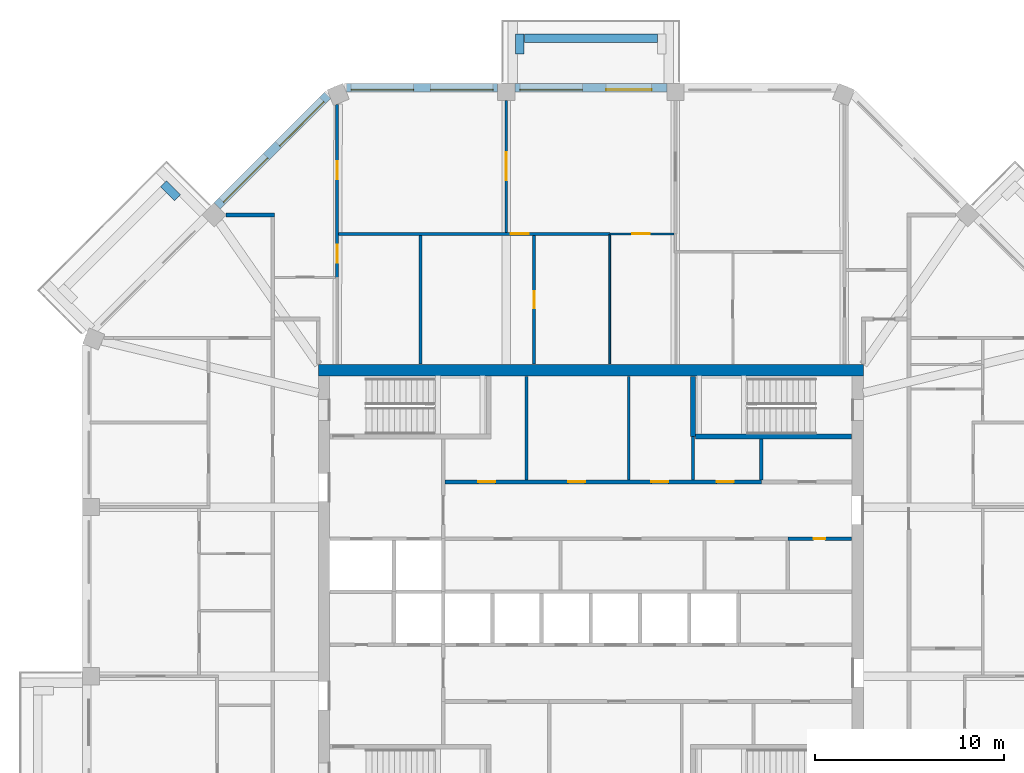
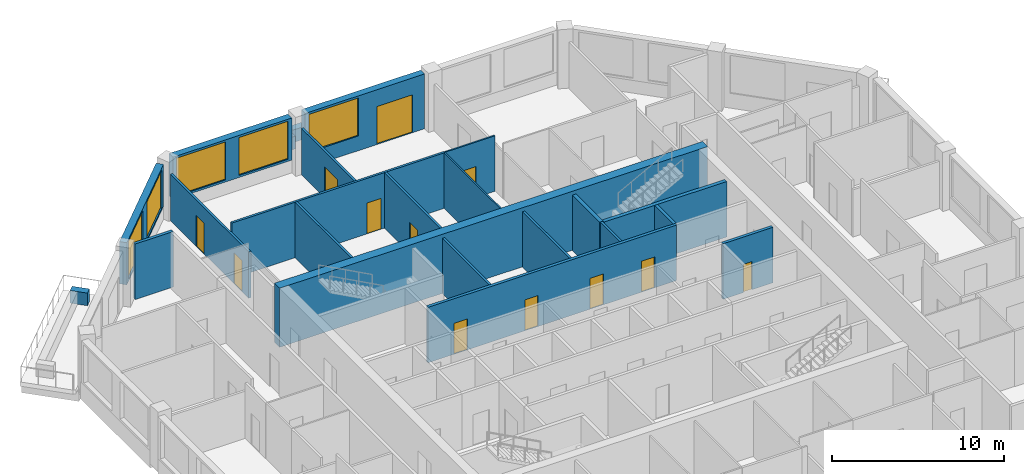
# One storey, part 8 of 11: 23 walls, 12 doors, 5 windows, 17 openings.
"""IFC4 building model written with IfcOpenShell, lengths in metres."""

from ifc_helpers import new_model, si_unit, direction, frame, frame_2d, origin, place, context, subcontext, project, spatial, rectangle, extrude, material, layer, layer_set, type_object, element, fill, save


model = new_model("IFC4")

# Units and contexts
model_context = context("Model", 3, precision=1e-05, world=origin(), true_north=direction((0.0, 1.0)))
body_context = subcontext(model_context, "Body", "Model", "MODEL_VIEW")
ifc_project = project(units=[si_unit("LENGTHUNIT", "METRE"), si_unit("AREAUNIT", "SQUARE_METRE"), si_unit("VOLUMEUNIT", "CUBIC_METRE"), si_unit("PLANEANGLEUNIT", "RADIAN"), si_unit("MASSUNIT", "GRAM", prefix="KILO")], contexts=[model_context])

# Site, building, storey
site_placement = place(None, origin())
site = spatial("IfcSite", under=ifc_project, at=site_placement, CompositionType="ELEMENT")
building_placement = place(site_placement, origin())
building = spatial("IfcBuilding", under=site, at=building_placement, Name="Msitu Wima Residences", CompositionType="ELEMENT")
storey_placement = place(building_placement, frame((0.0, 0.0, 293.699951171875)))
storey = spatial("IfcBuildingStorey", under=building, at=storey_placement, Name="L68", CompositionType="ELEMENT", Elevation=293.699951171875)

# Walls
ifc_material_1 = material(Name="Facing brick")
ifc_layer_1 = layer(ifc_material_1, 0.06494140625, Name="Facing brick")
ifc_material_2 = material(Name="Concrete C40/50", Category="concrete")
ifc_layer_2 = layer(ifc_material_2, 0.156005859375, Name="Concrete C40/50")
ifc_material_3 = material(Name="Waterproofing membrane")
ifc_layer_3 = layer(ifc_material_3, 0.00390625, Name="Waterproofing membrane")
ifc_material_4 = material(Name="Planting soil and planting")
ifc_layer_4 = layer(ifc_material_4, 0.22509765625, Name="Planting soil and planting")
ifc_layer_set_1 = layer_set([ifc_layer_1, ifc_layer_2, ifc_layer_3, ifc_layer_4], Name="Concrete C40/50")
wall_type_1 = type_object("IfcWallType", Name="Balcony planter PLANTER PL450", PredefinedType="USERDEFINED", material=ifc_layer_set_1)
wall_1_placement = place(storey_placement, frame((3.5185546875, 29.22509765625, 0.0), z_axis=(0.0, 0.0, 1.0), x_axis=(-1.0, 0.0, 0.0)))
element("IfcWall", 1, at=wall_1_placement, inside=storey, type_object=wall_type_1, Name="Balcony planter N1 L68", ObjectType="PLANTER", PredefinedType="USERDEFINED", context=body_context, shape_type="SweptSolid", body=[
    extrude(rectangle(XDim=7.037109375, YDim=0.449951171875, at=frame_2d((3.5185546875, 0.0))), origin(), (0.0, 0.0, 1.0), 0.900146484375),
])
for number, where, z_axis, x_axis, name in (
    (2, (-3.74365234375, 28.39990234375, 0.0), (0.0, 0.0, 1.0), (0.0, 1.0, 0.0), "Balcony planter N1 L68"),
    (3, (-21.829833984375, 20.804443359375, 0.0), (0.0, 0.0, 1.0), (-0.707106781187, 0.707106781187, 0.0), "Balcony planter NW1 L68"),
):
    element("IfcWall", number, at=place(storey_placement, frame(where, z_axis=z_axis, x_axis=x_axis)), inside=storey, type_object=wall_type_1, Name=name, ObjectType="PLANTER", PredefinedType="USERDEFINED", context=body_context, shape_type="SweptSolid", body=[
        extrude(rectangle(XDim=1.050048828125, YDim=0.449951171875, at=frame_2d((0.52490234375, 0.0))), origin(), (0.0, 0.0, 1.0), 0.900146484375),
    ])

# Wall, openings, door, window
ifc_material_5 = material(Name="Brick (red buff mix)", Category="masonry")
ifc_layer_5 = layer(ifc_material_5, 0.449951171875)
ifc_layer_set_2 = layer_set([ifc_layer_5], Name="Brick (red buff mix)")
wall_type_2 = type_object("IfcWallType", Name="Brick infill wall BW450", PredefinedType="SOLIDWALL", material=ifc_layer_set_2)
wall_2_placement = place(storey_placement, frame((4.0185546875, 26.625, 0.0), z_axis=(0.0, 0.0, 1.0), x_axis=(-1.0, 0.0, 0.0)))
wall_2 = element("IfcWall", 4, at=wall_2_placement, inside=storey, type_object=wall_type_2, Name="Brick infill wall L68 N1", PredefinedType="SOLIDWALL", context=body_context, shape_type="SweptSolid", body=[
    extrude(rectangle(XDim=8.037109375, YDim=0.449951171875, at=frame_2d((4.0185546875, 0.0))), origin(), (0.0, 0.0, 1.0), 3.900146484375),
])
opening_1_placement = place(wall_2_placement, frame((0.809326171875, 0.0, 0.0)))
opening_1 = element("IfcOpeningElement", 5, at=opening_1_placement, cuts=wall_2, Name="Opening D68-70.002", PredefinedType="OPENING", context=body_context, shape_type="SweptSolid", body=[
    extrude(rectangle(XDim=2.39990234375, YDim=2.699951171875, at=frame_2d((1.199951171875, 1.35009765625))), frame((0.0, 0.23486328125, 0.0), z_axis=(0.0, -1.0, 0.0), x_axis=(1.0, 0.0, 0.0)), (0.0, 0.0, 1.0), 0.469970703125),
])
opening_2_placement = place(wall_2_placement, frame((4.46875, 0.0, 1.050048828125)))
opening_2 = element("IfcOpeningElement", 6, at=opening_2_placement, cuts=wall_2, Name="Opening W68-70.008", PredefinedType="OPENING", context=body_context, shape_type="SweptSolid", body=[
    extrude(rectangle(XDim=3.300048828125, YDim=2.699951171875, at=frame_2d((1.64990234375, 1.35009765625))), frame((0.0, 0.23486328125, 0.0), z_axis=(0.0, -1.0, 0.0), x_axis=(1.0, 0.0, 0.0)), (0.0, 0.0, 1.0), 0.469970703125),
])
ifc_material_6 = material(Name="Anodised aluminium, bronze finish, clear low-emissivity double glazing", Category="aluminium")
door_type_1 = type_object("IfcDoorType", Name="Balcony door D2400x2700", OperationType="SLIDING_TO_LEFT", PredefinedType="DOOR", material=ifc_material_6)
door_1_placement = place(opening_1_placement, origin())
door_1 = element("IfcDoor", 7, at=door_1_placement, inside=storey, type_object=door_type_1, Name="Balcony door L68 N1", OperationType="SINGLE_SWING_LEFT", OverallHeight=2.699951171875, OverallWidth=2.39990234375, PredefinedType="DOOR", context=body_context, shape_type="SweptSolid", body=[
    extrude(rectangle(XDim=2.39990234375, YDim=2.699951171875, at=frame_2d((1.199951171875, 1.35009765625))), frame((0.0, 0.1298828125, 0.0), z_axis=(0.0, -1.0, 0.0), x_axis=(1.0, 0.0, 0.0)), (0.0, 0.0, 1.0), 0.050048828125),
])
fill(opening_1, door_1)
window_type = type_object("IfcWindowType", Name="Window W3300x2700", PartitioningType="DOUBLE_PANEL_VERTICAL", PredefinedType="WINDOW", material=ifc_material_6)
window_1_placement = place(opening_2_placement, origin())
window_1 = element("IfcWindow", 8, at=window_1_placement, inside=storey, type_object=window_type, Name="Window L68 N1.2", OverallHeight=2.699951171875, OverallWidth=3.300048828125, PartitioningType="SINGLE_PANEL", PredefinedType="WINDOW", context=body_context, shape_type="SweptSolid", body=[
    extrude(rectangle(XDim=3.300048828125, YDim=2.699951171875, at=frame_2d((1.64990234375, 1.35009765625))), frame((0.0, 0.135009765625, 0.0), z_axis=(0.0, -1.0, 0.0), x_axis=(1.0, 0.0, 0.0)), (0.0, 0.0, 1.0), 0.06005859375),
])
fill(opening_2, window_1)

# Wall, openings, windows
wall_3_placement = place(storey_placement, frame((-4.918701171875, 26.625, 0.900146484375), z_axis=(0.0, 0.0, 1.0), x_axis=(-1.0, 0.0, 0.0)))
wall_3 = element("IfcWall", 9, at=wall_3_placement, inside=storey, type_object=wall_type_2, Name="Brick infill wall L68 N2", PredefinedType="SOLIDWALL", context=body_context, shape_type="SweptSolid", body=[
    extrude(rectangle(XDim=8.0, YDim=0.449951171875, at=frame_2d((4.0, 0.0))), origin(), (0.0, 0.0, 1.0), 3.0),
])
opening_3_placement = place(wall_3_placement, frame((0.25, 0.0, 0.14990234375)))
opening_3 = element("IfcOpeningElement", 10, at=opening_3_placement, cuts=wall_3, Name="Opening W68-70.009", PredefinedType="OPENING", context=body_context, shape_type="SweptSolid", body=[
    extrude(rectangle(XDim=3.300048828125, YDim=2.699951171875, at=frame_2d((1.64990234375, 1.35009765625))), frame((0.0, 0.23486328125, 0.0), z_axis=(0.0, -1.0, 0.0), x_axis=(1.0, 0.0, 0.0)), (0.0, 0.0, 1.0), 0.469970703125),
])
opening_4_placement = place(wall_3_placement, frame((4.4501953125, 0.0, 0.14990234375)))
opening_4 = element("IfcOpeningElement", 11, at=opening_4_placement, cuts=wall_3, Name="Opening W68-70.010", PredefinedType="OPENING", context=body_context, shape_type="SweptSolid", body=[
    extrude(rectangle(XDim=3.300048828125, YDim=2.699951171875, at=frame_2d((1.64990234375, 1.35009765625))), frame((0.0, 0.23486328125, 0.0), z_axis=(0.0, -1.0, 0.0), x_axis=(1.0, 0.0, 0.0)), (0.0, 0.0, 1.0), 0.469970703125),
])
window_2_placement = place(opening_3_placement, origin())
window_2 = element("IfcWindow", 12, at=window_2_placement, inside=storey, type_object=window_type, Name="Window L68 N2.1", OverallHeight=2.699951171875, OverallWidth=3.300048828125, PartitioningType="SINGLE_PANEL", PredefinedType="WINDOW", context=body_context, shape_type="SweptSolid", body=[
    extrude(rectangle(XDim=3.300048828125, YDim=2.699951171875, at=frame_2d((1.64990234375, 1.35009765625))), frame((0.0, 0.135009765625, 0.0), z_axis=(0.0, -1.0, 0.0), x_axis=(1.0, 0.0, 0.0)), (0.0, 0.0, 1.0), 0.06005859375),
])
fill(opening_3, window_2)
window_3_placement = place(opening_4_placement, origin())
window_3 = element("IfcWindow", 13, at=window_3_placement, inside=storey, type_object=window_type, Name="Window L68 N2.2", OverallHeight=2.699951171875, OverallWidth=3.300048828125, PartitioningType="SINGLE_PANEL", PredefinedType="WINDOW", context=body_context, shape_type="SweptSolid", body=[
    extrude(rectangle(XDim=3.300048828125, YDim=2.699951171875, at=frame_2d((1.64990234375, 1.35009765625))), frame((0.0, 0.135009765625, 0.0), z_axis=(0.0, -1.0, 0.0), x_axis=(1.0, 0.0, 0.0)), (0.0, 0.0, 1.0), 0.06005859375),
])
fill(opening_4, window_3)

wall_4_placement = place(storey_placement, frame((-13.909423828125, 26.214599609375, 0.900146484375), z_axis=(0.0, 0.0, 1.0), x_axis=(-0.707106781187, -0.707106781187, 0.0)))
wall_4 = element("IfcWall", 14, at=wall_4_placement, inside=storey, type_object=wall_type_2, Name="Brick infill wall L68 NW0", PredefinedType="SOLIDWALL", context=body_context, shape_type="SweptSolid", body=[
    extrude(rectangle(XDim=8.251220703125, YDim=0.449951171875, at=frame_2d((4.12548828125, 0.0))), origin(), (0.0, 0.0, 1.0), 3.0),
])
opening_5_placement = place(wall_4_placement, frame((0.37548828125, 0.0, 0.14990234375)))
opening_5 = element("IfcOpeningElement", 15, at=opening_5_placement, cuts=wall_4, Name="Opening W68-70.014", PredefinedType="OPENING", context=body_context, shape_type="SweptSolid", body=[
    extrude(rectangle(XDim=3.300048828125, YDim=2.699951171875, at=frame_2d((1.64990234375, 1.35009765625))), frame((0.0, 0.23486328125, 0.0), z_axis=(0.0, -1.0, 0.0), x_axis=(1.0, 0.0, 0.0)), (0.0, 0.0, 1.0), 0.469970703125),
])
opening_6_placement = place(wall_4_placement, frame((4.57568359375, 0.0, 0.14990234375)))
opening_6 = element("IfcOpeningElement", 16, at=opening_6_placement, cuts=wall_4, Name="Opening W68-70.015", PredefinedType="OPENING", context=body_context, shape_type="SweptSolid", body=[
    extrude(rectangle(XDim=3.300048828125, YDim=2.699951171875, at=frame_2d((1.64990234375, 1.35009765625))), frame((0.0, 0.23486328125, 0.0), z_axis=(0.0, -1.0, 0.0), x_axis=(1.0, 0.0, 0.0)), (0.0, 0.0, 1.0), 0.469970703125),
])
window_4_placement = place(opening_5_placement, origin())
window_4 = element("IfcWindow", 17, at=window_4_placement, inside=storey, type_object=window_type, Name="Window L68 NW0.1", OverallHeight=2.699951171875, OverallWidth=3.300048828125, PartitioningType="SINGLE_PANEL", PredefinedType="WINDOW", context=body_context, shape_type="SweptSolid", body=[
    extrude(rectangle(XDim=3.300048828125, YDim=2.699951171875, at=frame_2d((1.64990234375, 1.35009765625))), frame((0.0, 0.135009765625, 0.0), z_axis=(0.0, -1.0, 0.0), x_axis=(1.0, 0.0, 0.0)), (0.0, 0.0, 1.0), 0.06005859375),
])
fill(opening_5, window_4)
window_5_placement = place(opening_6_placement, origin())
window_5 = element("IfcWindow", 18, at=window_5_placement, inside=storey, type_object=window_type, Name="Window L68 NW0.2", OverallHeight=2.699951171875, OverallWidth=3.300048828125, PartitioningType="SINGLE_PANEL", PredefinedType="WINDOW", context=body_context, shape_type="SweptSolid", body=[
    extrude(rectangle(XDim=3.300048828125, YDim=2.699951171875, at=frame_2d((1.64990234375, 1.35009765625))), frame((0.0, 0.135009765625, 0.0), z_axis=(0.0, -1.0, 0.0), x_axis=(1.0, 0.0, 0.0)), (0.0, 0.0, 1.0), 0.06005859375),
])
fill(opening_6, window_5)

# Wall
ifc_material_7 = material(Name="Concrete C50/60", Category="concrete")
ifc_layer_6 = layer(ifc_material_7, 0.60009765625)
ifc_layer_set_3 = layer_set([ifc_layer_6], Name="Concrete C50/60")
wall_type_3 = type_object("IfcWallType", Name="Core wall CW600 C50/60", PredefinedType="SHEAR", material=ifc_layer_set_3)
wall_5_placement = place(storey_placement, frame((-14.39990234375, 11.699951171875, 0.0), z_axis=(0.0, 0.0, 1.0), x_axis=(1.0, 0.0, 0.0)))
element("IfcWall", 19, at=wall_5_placement, inside=storey, type_object=wall_type_3, Name="Core wall", PredefinedType="SHEAR", context=body_context, shape_type="SweptSolid", body=[
    extrude(rectangle(XDim=28.7998046875, YDim=0.60009765625, at=frame_2d((14.39990234375, 0.0))), origin(), (0.0, 0.0, 1.0), 4.199951171875),
])

# Wall, openings, doors
ifc_material_8 = material(Name="Plaster")
ifc_layer_7 = layer(ifc_material_8, 0.011962890625, Name="Plaster")
ifc_material_9 = material(Name="Concrete blockwork", Category="masonry")
ifc_layer_8 = layer(ifc_material_9, 0.176025390625, Name="Concrete blockwork")
ifc_layer_9 = layer(ifc_material_8, 0.011962890625, Name="Plaster")
ifc_layer_set_4 = layer_set([ifc_layer_7, ifc_layer_8, ifc_layer_9], Name="Concrete blockwork")
wall_type_4 = type_object("IfcWallType", Name="Corridor wall FW200", PredefinedType="PARTITIONING", material=ifc_layer_set_4)
wall_6_placement = place(storey_placement, frame((-7.699951171875, 5.800048828125, 0.0), z_axis=(0.0, 0.0, 1.0), x_axis=(1.0, 0.0, 0.0)))
wall_6 = element("IfcWall", 20, at=wall_6_placement, inside=storey, type_object=wall_type_4, Name="Corridor wall", PredefinedType="PARTITIONING", context=body_context, shape_type="SweptSolid", body=[
    extrude(rectangle(XDim=16.719970703125, YDim=0.199951171875, at=frame_2d((8.35986328125, 0.0))), origin(), (0.0, 0.0, 1.0), 3.949951171875),
])
opening_7_placement = place(wall_6_placement, frame((1.75, 0.0, 0.0)))
opening_7 = element("IfcOpeningElement", 21, at=opening_7_placement, cuts=wall_6, Name="Opening D68-70.062", PredefinedType="OPENING", context=body_context, shape_type="SweptSolid", body=[
    extrude(rectangle(XDim=0.89990234375, YDim=2.199951171875, at=frame_2d((0.449951171875, 1.10009765625))), frame((0.0, 0.10986328125, 0.0), z_axis=(0.0, -1.0, 0.0), x_axis=(1.0, 0.0, 0.0)), (0.0, 0.0, 1.0), 0.219970703125),
])
opening_8_placement = place(wall_6_placement, frame((6.5, 0.0, 0.0)))
opening_8 = element("IfcOpeningElement", 22, at=opening_8_placement, cuts=wall_6, Name="Opening D68-70.063", PredefinedType="OPENING", context=body_context, shape_type="SweptSolid", body=[
    extrude(rectangle(XDim=0.89990234375, YDim=2.199951171875, at=frame_2d((0.449951171875, 1.10009765625))), frame((0.0, 0.10986328125, 0.0), z_axis=(0.0, -1.0, 0.0), x_axis=(1.0, 0.0, 0.0)), (0.0, 0.0, 1.0), 0.219970703125),
])
opening_9_placement = place(wall_6_placement, frame((10.89990234375, 0.0, 0.0)))
opening_9 = element("IfcOpeningElement", 23, at=opening_9_placement, cuts=wall_6, Name="Opening D68-70.064", PredefinedType="OPENING", context=body_context, shape_type="SweptSolid", body=[
    extrude(rectangle(XDim=0.89990234375, YDim=2.199951171875, at=frame_2d((0.449951171875, 1.10009765625))), frame((0.0, 0.10986328125, 0.0), z_axis=(0.0, -1.0, 0.0), x_axis=(1.0, 0.0, 0.0)), (0.0, 0.0, 1.0), 0.219970703125),
])
opening_10_placement = place(wall_6_placement, frame((14.35009765625, 0.0, 0.0)))
opening_10 = element("IfcOpeningElement", 24, at=opening_10_placement, cuts=wall_6, Name="Opening D68-70.065", PredefinedType="OPENING", context=body_context, shape_type="SweptSolid", body=[
    extrude(rectangle(XDim=0.89990234375, YDim=2.199951171875, at=frame_2d((0.449951171875, 1.10009765625))), frame((0.0, 0.10986328125, 0.0), z_axis=(0.0, -1.0, 0.0), x_axis=(1.0, 0.0, 0.0)), (0.0, 0.0, 1.0), 0.219970703125),
])
ifc_material_10 = material(Name="Timber flush door", Category="wood")
door_type_2 = type_object("IfcDoorType", Name="Service door D05 900x2200", OperationType="SINGLE_SWING_LEFT", PredefinedType="DOOR", material=ifc_material_10)
door_2_placement = place(opening_7_placement, origin())
door_2 = element("IfcDoor", 25, at=door_2_placement, inside=storey, type_object=door_type_2, Name="Service door", OperationType="SINGLE_SWING_RIGHT", OverallHeight=2.199951171875, OverallWidth=0.89990234375, PredefinedType="DOOR", context=body_context, shape_type="SweptSolid", body=[
    extrude(rectangle(XDim=0.89990234375, YDim=2.199951171875, at=frame_2d((0.449951171875, 1.10009765625))), frame((0.0, 0.02490234375, 0.0), z_axis=(0.0, -1.0, 0.0), x_axis=(1.0, 0.0, 0.0)), (0.0, 0.0, 1.0), 0.050048828125),
])
fill(opening_7, door_2)
door_3_placement = place(opening_8_placement, origin())
door_3 = element("IfcDoor", 26, at=door_3_placement, inside=storey, type_object=door_type_2, Name="Service door", OperationType="SINGLE_SWING_LEFT", OverallHeight=2.199951171875, OverallWidth=0.89990234375, PredefinedType="DOOR", context=body_context, shape_type="SweptSolid", body=[
    extrude(rectangle(XDim=0.89990234375, YDim=2.199951171875, at=frame_2d((0.449951171875, 1.10009765625))), frame((0.0, 0.02490234375, 0.0), z_axis=(0.0, -1.0, 0.0), x_axis=(1.0, 0.0, 0.0)), (0.0, 0.0, 1.0), 0.050048828125),
])
fill(opening_8, door_3)
door_4_placement = place(opening_9_placement, origin())
door_4 = element("IfcDoor", 27, at=door_4_placement, inside=storey, type_object=door_type_2, Name="Service door", OperationType="SINGLE_SWING_LEFT", OverallHeight=2.199951171875, OverallWidth=0.89990234375, PredefinedType="DOOR", context=body_context, shape_type="SweptSolid", body=[
    extrude(rectangle(XDim=0.89990234375, YDim=2.199951171875, at=frame_2d((0.449951171875, 1.10009765625))), frame((0.0, 0.02490234375, 0.0), z_axis=(0.0, -1.0, 0.0), x_axis=(1.0, 0.0, 0.0)), (0.0, 0.0, 1.0), 0.050048828125),
])
fill(opening_9, door_4)
door_5_placement = place(opening_10_placement, origin())
door_5 = element("IfcDoor", 28, at=door_5_placement, inside=storey, type_object=door_type_2, Name="Service door", OperationType="SINGLE_SWING_LEFT", OverallHeight=2.199951171875, OverallWidth=0.89990234375, PredefinedType="DOOR", context=body_context, shape_type="SweptSolid", body=[
    extrude(rectangle(XDim=0.89990234375, YDim=2.199951171875, at=frame_2d((0.449951171875, 1.10009765625))), frame((0.0, 0.02490234375, 0.0), z_axis=(0.0, -1.0, 0.0), x_axis=(1.0, 0.0, 0.0)), (0.0, 0.0, 1.0), 0.050048828125),
])
fill(opening_10, door_5)

# Wall, opening, door
ifc_layer_10 = layer(ifc_material_8, 0.011962890625, Name="Plaster")
ifc_layer_11 = layer(ifc_material_9, 0.1259765625, Name="Concrete blockwork")
ifc_layer_12 = layer(ifc_material_8, 0.011962890625, Name="Plaster")
ifc_layer_set_5 = layer_set([ifc_layer_10, ifc_layer_11, ifc_layer_12], Name="Concrete blockwork")
wall_type_5 = type_object("IfcWallType", Name="Partition PW150", PredefinedType="PARTITIONING", material=ifc_layer_set_5)
wall_7_placement = place(storey_placement, frame((-13.330810546875, 18.89990234375, 0.0), z_axis=(0.0, 0.0, 1.0), x_axis=(1.0, 0.0, 0.0)))
wall_7 = element("IfcWall", 29, at=wall_7_placement, inside=storey, type_object=wall_type_5, Name="Partition", PredefinedType="PARTITIONING", context=body_context, shape_type="SweptSolid", body=[
    extrude(rectangle(XDim=14.330810546875, YDim=0.14990234375, at=frame_2d((7.16552734375, 0.0))), origin(), (0.0, 0.0, 1.0), 3.949951171875),
])
opening_11_placement = place(wall_7_placement, frame((9.10009765625, 0.0, 0.0)))
opening_11 = element("IfcOpeningElement", 30, at=opening_11_placement, cuts=wall_7, Name="Opening D68-70.030", PredefinedType="OPENING", context=body_context, shape_type="SweptSolid", body=[
    extrude(rectangle(XDim=0.949951171875, YDim=2.199951171875, at=frame_2d((0.47509765625, 1.10009765625))), frame((0.0, 0.0849609375, 0.0), z_axis=(0.0, -1.0, 0.0), x_axis=(1.0, 0.0, 0.0)), (0.0, 0.0, 1.0), 0.169921875),
])
door_type_3 = type_object("IfcDoorType", Name="Room door D12 950x2200", OperationType="SINGLE_SWING_LEFT", PredefinedType="DOOR", material=ifc_material_10)
door_6_placement = place(opening_11_placement, origin())
door_6 = element("IfcDoor", 31, at=door_6_placement, inside=storey, type_object=door_type_3, Name="Room door", OperationType="SINGLE_SWING_LEFT", OverallHeight=2.199951171875, OverallWidth=0.949951171875, PredefinedType="DOOR", context=body_context, shape_type="SweptSolid", body=[
    extrude(rectangle(XDim=0.949951171875, YDim=2.199951171875, at=frame_2d((0.47509765625, 1.10009765625))), frame((0.0, 0.02490234375, 0.0), z_axis=(0.0, -1.0, 0.0), x_axis=(1.0, 0.0, 0.0)), (0.0, 0.0, 1.0), 0.050048828125),
])
fill(opening_11, door_6)

# Wall, openings, doors
wall_8_placement = place(storey_placement, frame((-13.406005859375, 25.731201171875, 0.0), z_axis=(0.0, 0.0, 1.0), x_axis=(0.0, -1.0, 0.0)))
wall_8 = element("IfcWall", 32, at=wall_8_placement, inside=storey, type_object=wall_type_5, Name="Partition", PredefinedType="PARTITIONING", context=body_context, shape_type="SweptSolid", body=[
    extrude(rectangle(XDim=9.131103515625, YDim=0.14990234375, at=frame_2d((4.5654296875, 0.0))), origin(), (0.0, 0.0, 1.0), 3.300048828125),
])
opening_12_placement = place(wall_8_placement, frame((3.0, 0.0, 0.0)))
opening_12 = element("IfcOpeningElement", 33, at=opening_12_placement, cuts=wall_8, Name="Opening D68-70.023", PredefinedType="OPENING", context=body_context, shape_type="SweptSolid", body=[
    extrude(rectangle(XDim=0.949951171875, YDim=2.199951171875, at=frame_2d((0.47509765625, 1.10009765625))), frame((0.0, 0.0849609375, 0.0), z_axis=(0.0, -1.0, 0.0), x_axis=(1.0, 0.0, 0.0)), (0.0, 0.0, 1.0), 0.169921875),
])
opening_13_placement = place(wall_8_placement, frame((7.39990234375, 0.0, 0.0)))
opening_13 = element("IfcOpeningElement", 34, at=opening_13_placement, cuts=wall_8, Name="Opening D68-70.024", PredefinedType="OPENING", context=body_context, shape_type="SweptSolid", body=[
    extrude(rectangle(XDim=0.949951171875, YDim=2.199951171875, at=frame_2d((0.47509765625, 1.10009765625))), frame((0.0, 0.0849609375, 0.0), z_axis=(0.0, -1.0, 0.0), x_axis=(1.0, 0.0, 0.0)), (0.0, 0.0, 1.0), 0.169921875),
])
door_7_placement = place(opening_12_placement, origin())
door_7 = element("IfcDoor", 35, at=door_7_placement, inside=storey, type_object=door_type_3, Name="Room door", OperationType="SINGLE_SWING_RIGHT", OverallHeight=2.199951171875, OverallWidth=0.949951171875, PredefinedType="DOOR", context=body_context, shape_type="SweptSolid", body=[
    extrude(rectangle(XDim=0.949951171875, YDim=2.199951171875, at=frame_2d((0.47509765625, 1.10009765625))), frame((0.0, 0.02490234375, 0.0), z_axis=(0.0, -1.0, 0.0), x_axis=(1.0, 0.0, 0.0)), (0.0, 0.0, 1.0), 0.050048828125),
])
fill(opening_12, door_7)
door_8_placement = place(opening_13_placement, origin())
door_8 = element("IfcDoor", 36, at=door_8_placement, inside=storey, type_object=door_type_3, Name="Room door", OperationType="SINGLE_SWING_LEFT", OverallHeight=2.199951171875, OverallWidth=0.949951171875, PredefinedType="DOOR", context=body_context, shape_type="SweptSolid", body=[
    extrude(rectangle(XDim=0.949951171875, YDim=2.199951171875, at=frame_2d((0.47509765625, 1.10009765625))), frame((0.0, 0.02490234375, 0.0), z_axis=(0.0, -1.0, 0.0), x_axis=(1.0, 0.0, 0.0)), (0.0, 0.0, 1.0), 0.050048828125),
])
fill(opening_13, door_8)

# Wall
wall_9_placement = place(storey_placement, frame((-9.0, 12.030029296875, 0.0), z_axis=(0.0, 0.0, 1.0), x_axis=(0.0, 1.0, 0.0)))
element("IfcWall", 37, at=wall_9_placement, inside=storey, type_object=wall_type_5, Name="Partition", PredefinedType="PARTITIONING", context=body_context, shape_type="SweptSolid", body=[
    extrude(rectangle(XDim=6.794921875, YDim=0.14990234375, at=frame_2d((3.3974609375, 0.0))), origin(), (0.0, 0.0, 1.0), 3.949951171875),
])

# Wall, opening, door
wall_10_placement = place(storey_placement, frame((-4.46875, 18.97509765625, 0.0), z_axis=(0.0, 0.0, 1.0), x_axis=(0.0, 1.0, 0.0)))
wall_10 = element("IfcWall", 38, at=wall_10_placement, inside=storey, type_object=wall_type_5, Name="Partition", PredefinedType="PARTITIONING", context=body_context, shape_type="SweptSolid", body=[
    extrude(rectangle(XDim=6.974853515625, YDim=0.14990234375, at=frame_2d((3.4873046875, 0.0))), origin(), (0.0, 0.0, 1.0), 3.300048828125),
])
opening_14_placement = place(wall_10_placement, frame((2.75, 0.0, 0.0)))
opening_14 = element("IfcOpeningElement", 39, at=opening_14_placement, cuts=wall_10, Name="Opening D68-70.033", PredefinedType="OPENING", context=body_context, shape_type="SweptSolid", body=[
    extrude(rectangle(XDim=1.5, YDim=2.199951171875, at=frame_2d((0.75, 1.10009765625))), frame((0.0, 0.0849609375, 0.0), z_axis=(0.0, -1.0, 0.0), x_axis=(1.0, 0.0, 0.0)), (0.0, 0.0, 1.0), 0.169921875),
])
ifc_material_11 = material(Name="Timber double door", Category="wood")
door_type_4 = type_object("IfcDoorType", Name="Double door D04 1500x2200", OperationType="DOUBLE_DOOR_SINGLE_SWING", PredefinedType="DOOR", material=ifc_material_11)
door_9_placement = place(opening_14_placement, origin())
door_9 = element("IfcDoor", 40, at=door_9_placement, inside=storey, type_object=door_type_4, Name="Double door", OperationType="DOUBLE_DOOR_SINGLE_SWING", OverallHeight=2.199951171875, OverallWidth=1.5, PredefinedType="DOOR", context=body_context, shape_type="SweptSolid", body=[
    extrude(rectangle(XDim=1.5, YDim=2.199951171875, at=frame_2d((0.75, 1.10009765625))), frame((0.0, 0.02490234375, 0.0), z_axis=(0.0, -1.0, 0.0), x_axis=(1.0, 0.0, 0.0)), (0.0, 0.0, 1.0), 0.050048828125),
])
fill(opening_14, door_9)

# Wall
wall_11_placement = place(storey_placement, frame((-3.39990234375, 5.89990234375, 0.0), z_axis=(0.0, 0.0, 1.0), x_axis=(0.0, 1.0, 0.0)))
element("IfcWall", 41, at=wall_11_placement, inside=storey, type_object=wall_type_5, Name="Partition", PredefinedType="PARTITIONING", context=body_context, shape_type="SweptSolid", body=[
    extrude(rectangle(XDim=5.47021484375, YDim=0.14990234375, at=frame_2d((2.735107421875, 0.0))), origin(), (0.0, 0.0, 1.0), 3.949951171875),
])

# Wall, opening, door
wall_12_placement = place(storey_placement, frame((-3.0, 12.030029296875, 0.0), z_axis=(0.0, 0.0, 1.0), x_axis=(0.0, 1.0, 0.0)))
wall_12 = element("IfcWall", 42, at=wall_12_placement, inside=storey, type_object=wall_type_5, Name="Partition", PredefinedType="PARTITIONING", context=body_context, shape_type="SweptSolid", body=[
    extrude(rectangle(XDim=6.794921875, YDim=0.14990234375, at=frame_2d((3.3974609375, 0.0))), origin(), (0.0, 0.0, 1.0), 3.949951171875),
])
opening_15_placement = place(wall_12_placement, frame((2.949951171875, 0.0, 0.0)))
opening_15 = element("IfcOpeningElement", 43, at=opening_15_placement, cuts=wall_12, Name="Opening D68-70.031", PredefinedType="OPENING", context=body_context, shape_type="SweptSolid", body=[
    extrude(rectangle(XDim=0.89990234375, YDim=2.199951171875, at=frame_2d((0.449951171875, 1.10009765625))), frame((0.0, 0.0849609375, 0.0), z_axis=(0.0, -1.0, 0.0), x_axis=(1.0, 0.0, 0.0)), (0.0, 0.0, 1.0), 0.169921875),
])
door_10_placement = place(opening_15_placement, origin())
door_10 = element("IfcDoor", 44, at=door_10_placement, inside=storey, type_object=door_type_2, Name="Service door", OperationType="SINGLE_SWING_RIGHT", OverallHeight=2.199951171875, OverallWidth=0.89990234375, PredefinedType="DOOR", context=body_context, shape_type="SweptSolid", body=[
    extrude(rectangle(XDim=0.89990234375, YDim=2.199951171875, at=frame_2d((0.449951171875, 1.10009765625))), frame((0.0, 0.02490234375, 0.0), z_axis=(0.0, -1.0, 0.0), x_axis=(1.0, 0.0, 0.0)), (0.0, 0.0, 1.0), 0.050048828125),
])
fill(opening_15, door_10)

# Walls
wall_13_placement = place(storey_placement, frame((2.0, 5.89990234375, 0.0), z_axis=(0.0, 0.0, 1.0), x_axis=(0.0, 1.0, 0.0)))
element("IfcWall", 45, at=wall_13_placement, inside=storey, type_object=wall_type_5, Name="Partition", PredefinedType="PARTITIONING", context=body_context, shape_type="SweptSolid", body=[
    extrude(rectangle(XDim=5.47021484375, YDim=0.14990234375, at=frame_2d((2.735107421875, 0.0))), origin(), (0.0, 0.0, 1.0), 3.949951171875),
])
wall_14_placement = place(storey_placement, frame((5.39990234375, 5.89990234375, 0.0), z_axis=(0.0, 0.0, 1.0), x_axis=(0.0, 1.0, 0.0)))
element("IfcWall", 46, at=wall_14_placement, inside=storey, type_object=wall_type_5, Name="Partition", PredefinedType="PARTITIONING", context=body_context, shape_type="SweptSolid", body=[
    extrude(rectangle(XDim=2.300048828125, YDim=0.14990234375, at=frame_2d((1.14990234375, 0.0))), origin(), (0.0, 0.0, 1.0), 3.949951171875),
])
ifc_layer_13 = layer(ifc_material_8, 0.011962890625, Name="Plaster")
ifc_material_12 = material(Name="Dense concrete blockwork", Category="masonry")
ifc_layer_14 = layer(ifc_material_12, 0.176025390625, Name="Dense concrete blockwork")
ifc_layer_15 = layer(ifc_material_8, 0.011962890625, Name="Plaster")
ifc_layer_set_6 = layer_set([ifc_layer_13, ifc_layer_14, ifc_layer_15], Name="Dense concrete blockwork")
wall_type_6 = type_object("IfcWallType", Name="Party wall PW200", PredefinedType="PARTITIONING", material=ifc_layer_set_6)
wall_15_placement = place(storey_placement, frame((-19.2666015625, 19.90283203125, 0.0), z_axis=(0.0, 0.0, 1.0), x_axis=(1.0, 0.0, 0.0)))
element("IfcWall", 47, at=wall_15_placement, inside=storey, type_object=wall_type_6, Name="Party wall", PredefinedType="PARTITIONING", context=body_context, shape_type="SweptSolid", body=[
    extrude(rectangle(XDim=2.566650390625, YDim=0.199951171875, at=frame_2d((1.283203125, 0.0))), origin(), (0.0, 0.0, 1.0), 3.949951171875),
])
ifc_layer_16 = layer(ifc_material_8, 0.011962890625, Name="Plaster")
ifc_material_13 = material(Name="Reinforced concrete blockwork", Category="masonry")
ifc_layer_17 = layer(ifc_material_13, 0.176025390625, Name="Reinforced concrete blockwork")
ifc_layer_18 = layer(ifc_material_8, 0.011962890625, Name="Plaster")
ifc_layer_set_7 = layer_set([ifc_layer_16, ifc_layer_17, ifc_layer_18], Name="Reinforced concrete blockwork")
wall_type_7 = type_object("IfcWallType", Name="Plant and riser wall PL200", PredefinedType="PARTITIONING", material=ifc_layer_set_7)
wall_16_placement = place(storey_placement, frame((9.0, 5.89990234375, 0.0), z_axis=(0.0, 0.0, 1.0), x_axis=(0.0, 1.0, 0.0)))
element("IfcWall", 48, at=wall_16_placement, inside=storey, type_object=wall_type_7, Name="Plant and riser wall", PredefinedType="PARTITIONING", context=body_context, shape_type="SweptSolid", body=[
    extrude(rectangle(XDim=2.175048828125, YDim=0.199951171875, at=frame_2d((1.08740234375, 0.0))), origin(), (0.0, 0.0, 1.0), 3.949951171875),
])

# Wall, opening, door
wall_17_placement = place(storey_placement, frame((10.419921875, 2.800048828125, 0.0), z_axis=(0.0, 0.0, 1.0), x_axis=(1.0, 0.0, 0.0)))
wall_17 = element("IfcWall", 49, at=wall_17_placement, inside=storey, type_object=wall_type_7, Name="Plant and riser wall", PredefinedType="PARTITIONING", context=body_context, shape_type="SweptSolid", body=[
    extrude(rectangle(XDim=3.35009765625, YDim=0.199951171875, at=frame_2d((1.675048828125, 0.0))), origin(), (0.0, 0.0, 1.0), 3.949951171875),
])
opening_16_placement = place(wall_17_placement, frame((1.35009765625, 0.0, 0.0)))
opening_16 = element("IfcOpeningElement", 50, at=opening_16_placement, cuts=wall_17, Name="Opening D68-70.076", PredefinedType="OPENING", context=body_context, shape_type="SweptSolid", body=[
    extrude(rectangle(XDim=0.60009765625, YDim=2.0, at=frame_2d((0.300048828125, 1.0))), frame((0.0, 0.10986328125, 0.0), z_axis=(0.0, -1.0, 0.0), x_axis=(1.0, 0.0, 0.0)), (0.0, 0.0, 1.0), 0.219970703125),
])
ifc_material_14 = material(Name="Steel access door, fire resisting", Category="steel")
door_type_5 = type_object("IfcDoorType", Name="Riser access door D08 600x2000", OperationType="SINGLE_SWING_LEFT", PredefinedType="DOOR", material=ifc_material_14)
door_11_placement = place(opening_16_placement, origin())
door_11 = element("IfcDoor", 51, at=door_11_placement, inside=storey, type_object=door_type_5, Name="Riser access door", OperationType="SINGLE_SWING_RIGHT", OverallHeight=2.0, OverallWidth=0.60009765625, PredefinedType="DOOR", context=body_context, shape_type="SweptSolid", body=[
    extrude(rectangle(XDim=0.60009765625, YDim=2.0, at=frame_2d((0.300048828125, 1.0))), frame((0.0, 0.02490234375, 0.0), z_axis=(0.0, -1.0, 0.0), x_axis=(1.0, 0.0, 0.0)), (0.0, 0.0, 1.0), 0.050048828125),
])
fill(opening_16, door_11)

# Walls
ifc_layer_19 = layer(ifc_material_7, 0.25)
ifc_layer_set_8 = layer_set([ifc_layer_19], Name="Concrete C50/60")
wall_type_8 = type_object("IfcWallType", Name="Stair enclosure wall SW250", PredefinedType="SHEAR", material=ifc_layer_set_8)
wall_18_placement = place(storey_placement, frame((5.39990234375, 8.199951171875, 0.0), z_axis=(0.0, 0.0, 1.0), x_axis=(0.0, 1.0, 0.0)))
element("IfcWall", 52, at=wall_18_placement, inside=storey, type_object=wall_type_8, Name="Stair enclosure wall", PredefinedType="SHEAR", context=body_context, shape_type="SweptSolid", body=[
    extrude(rectangle(XDim=3.170166015625, YDim=0.25, at=frame_2d((1.5849609375, 0.0))), origin(), (0.0, 0.0, 1.0), 3.949951171875),
])
wall_19_placement = place(storey_placement, frame((5.52490234375, 8.199951171875, 0.0), z_axis=(0.0, 0.0, 1.0), x_axis=(1.0, 0.0, 0.0)))
element("IfcWall", 53, at=wall_19_placement, inside=storey, type_object=wall_type_8, Name="Stair enclosure wall", PredefinedType="SHEAR", context=body_context, shape_type="SweptSolid", body=[
    extrude(rectangle(XDim=8.2451171875, YDim=0.25, at=frame_2d((4.12255859375, 0.0))), origin(), (0.0, 0.0, 1.0), 3.949951171875),
])

# Wall, opening, door
ifc_material_15 = material(Name="Ceramic tiles")
ifc_layer_20 = layer(ifc_material_15, 0.008056640625, Name="Ceramic tiles")
ifc_material_16 = material(Name="Moisture-resistant board")
ifc_layer_21 = layer(ifc_material_16, 0.012451171875, Name="Moisture-resistant board")
ifc_material_17 = material(Name="Light-gauge stud framing with mineral wool")
ifc_layer_22 = layer(ifc_material_17, 0.06689453125, Name="Light-gauge stud framing with mineral wool")
ifc_layer_23 = layer(ifc_material_16, 0.012451171875, Name="Moisture-resistant board")
ifc_layer_set_9 = layer_set([ifc_layer_20, ifc_layer_21, ifc_layer_22, ifc_layer_23], Name="Light-gauge stud framing with mineral wool")
wall_type_9 = type_object("IfcWallType", Name="Wet wall PW100", PredefinedType="PARTITIONING", material=ifc_layer_set_9)
wall_20_placement = place(storey_placement, frame((1.0, 18.89990234375, 0.0), z_axis=(0.0, 0.0, 1.0), x_axis=(1.0, 0.0, 0.0)))
wall_20 = element("IfcWall", 54, at=wall_20_placement, inside=storey, type_object=wall_type_9, Name="Wet wall", PredefinedType="PARTITIONING", context=body_context, shape_type="SweptSolid", body=[
    extrude(rectangle(XDim=3.3935546875, YDim=0.10009765625, at=frame_2d((1.69677734375, 0.0))), origin(), (0.0, 0.0, 1.0), 3.949951171875),
])
opening_17_placement = place(wall_20_placement, frame((1.199951171875, 0.0, 0.0)))
opening_17 = element("IfcOpeningElement", 55, at=opening_17_placement, cuts=wall_20, Name="Opening D68-70.032", PredefinedType="OPENING", context=body_context, shape_type="SweptSolid", body=[
    extrude(rectangle(XDim=0.89990234375, YDim=2.199951171875, at=frame_2d((0.449951171875, 1.10009765625))), frame((0.0, 0.06005859375, 0.0), z_axis=(0.0, -1.0, 0.0), x_axis=(1.0, 0.0, 0.0)), (0.0, 0.0, 1.0), 0.1201171875),
])
ifc_material_18 = material(Name="Timber flush door, moisture resistant", Category="wood")
door_type_6 = type_object("IfcDoorType", Name="Bathroom door D03 900x2200", OperationType="SINGLE_SWING_LEFT", PredefinedType="DOOR", material=ifc_material_18)
door_12_placement = place(opening_17_placement, origin())
door_12 = element("IfcDoor", 56, at=door_12_placement, inside=storey, type_object=door_type_6, Name="Bathroom door", OperationType="SINGLE_SWING_RIGHT", OverallHeight=2.199951171875, OverallWidth=0.89990234375, PredefinedType="DOOR", context=body_context, shape_type="SweptSolid", body=[
    extrude(rectangle(XDim=0.89990234375, YDim=2.199951171875, at=frame_2d((0.449951171875, 1.10009765625))), frame((0.0, 0.02490234375, 0.0), z_axis=(0.0, -1.0, 0.0), x_axis=(1.0, 0.0, 0.0)), (0.0, 0.0, 1.0), 0.050048828125),
])
fill(opening_17, door_12)

# Wall
wall_21_placement = place(storey_placement, frame((1.0, 12.030029296875, 0.0), z_axis=(0.0, 0.0, 1.0), x_axis=(0.0, 1.0, 0.0)))
element("IfcWall", 57, at=wall_21_placement, inside=storey, type_object=wall_type_9, Name="Wet wall", PredefinedType="PARTITIONING", context=body_context, shape_type="SweptSolid", body=[
    extrude(rectangle(XDim=6.820068359375, YDim=0.10009765625, at=frame_2d((3.41015625, 0.0))), origin(), (0.0, 0.0, 1.0), 3.949951171875),
])

save(model, "model.ifc")
